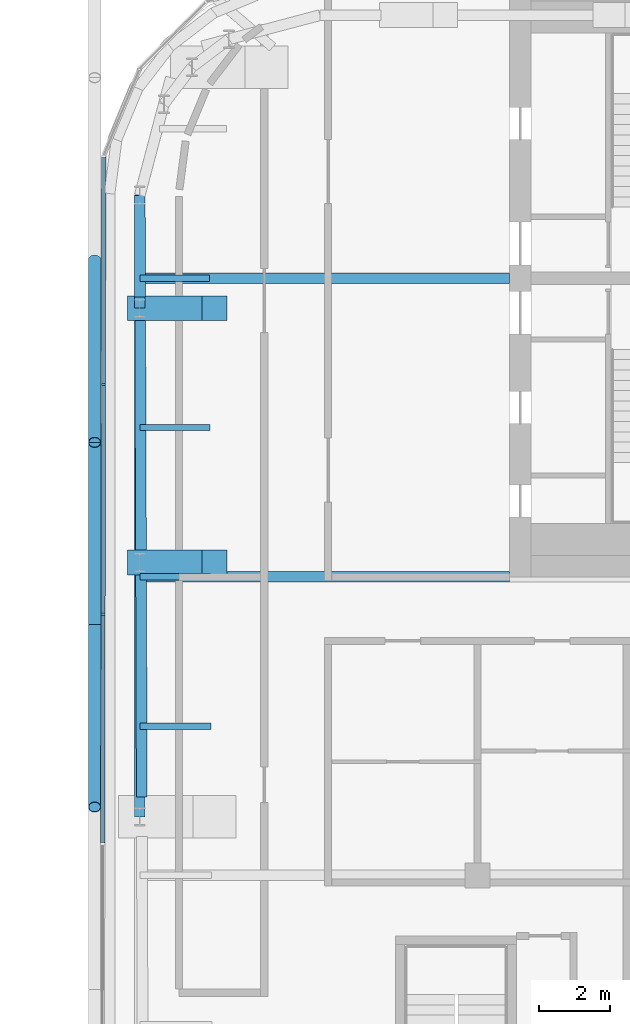
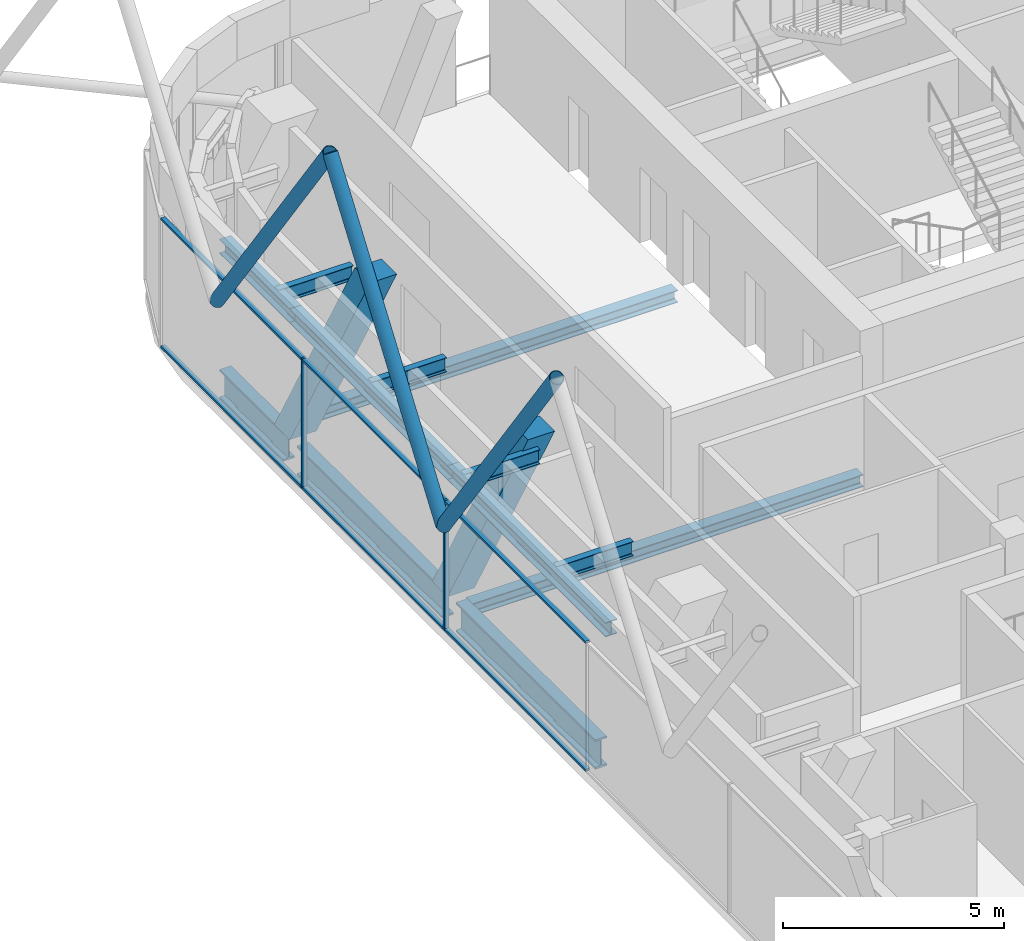
# One storey, part 8 of 25: 13 members, 12 beams, 1 element without a shape of its own.
"""IFC4 building model written with IfcOpenShell, lengths in metres."""

from ifc_helpers import new_model, si_unit, direction, frame, origin, origin_2d, place, context, subcontext, project, spatial, rectangle, hollow_circle, i_section, extrude, material, layer, layer_set, material_profile, profile_set, type_object, element, aggregate, save


model = new_model("IFC4")

# Units and contexts
model_context = context("Model", 3, precision=1e-05, world=origin(), true_north=direction((0.0, 1.0)))
body_context = subcontext(model_context, "Body", "Model", "MODEL_VIEW")
ifc_project = project(units=[si_unit("LENGTHUNIT", "METRE"), si_unit("AREAUNIT", "SQUARE_METRE"), si_unit("VOLUMEUNIT", "CUBIC_METRE"), si_unit("PLANEANGLEUNIT", "RADIAN"), si_unit("MASSUNIT", "GRAM", prefix="KILO")], contexts=[model_context])

# Site, building, storey
site_placement = place(None, origin())
site = spatial("IfcSite", under=ifc_project, at=site_placement, CompositionType="ELEMENT")
building_placement = place(site_placement, origin())
building = spatial("IfcBuilding", under=site, at=building_placement, Name="Marenta Gate Hotel Tower", CompositionType="ELEMENT")
storey_placement = place(building_placement, frame((0.0, 0.0, 277.699951171875)))
storey = spatial("IfcBuildingStorey", under=building, at=storey_placement, Name="L64", CompositionType="ELEMENT", Elevation=277.699951171875)

# Members
ifc_material_1 = material(Name="Steel S355J2W", Category="steel")
ifc_material_profile_1 = material_profile(ifc_material_1, hollow_circle(Radius=0.177734375, WallThickness=0.01611328125, at=origin_2d()), Name="CHS 355.6x16")
ifc_profile_set_1 = profile_set([ifc_material_profile_1], Name="Steel S355J2W")
member_type_1 = type_object("IfcMemberType", Name="Diagrid diagonal C CHS 355.6x16", PredefinedType="BRACE", material=ifc_profile_set_1)
member_1_placement = place(storey_placement, frame((-23.3701171875, -1.347412109375, 3.14013671875), z_axis=(0.0, -0.580213650922, 0.81446431431), x_axis=(1.0, 0.0, 0.0)))
element("IfcMember", 1, at=member_1_placement, inside=storey, type_object=member_type_1, Name="L64-DG-30", PredefinedType="BRACE", context=body_context, shape_type="SweptSolid", body=[
    extrude(hollow_circle(Radius=0.177734375, WallThickness=0.01611328125, at=origin_2d()), origin(), (0.0, 0.0, 1.0), 8.840087890625),
])
for number, where, z_axis, x_axis, name in (
    (2, (-23.3701171875, -1.347412109375, 3.14013671875), (0.0, 0.580231970533, 0.81445126335), (-1.0, 0.0, 0.0), "L64-DG-31"),
    (3, (-23.3701171875, 8.911376953125, 3.14013671875), (0.0, -0.580231970533, 0.81445126335), (1.0, 0.0, 0.0), "L64-DG-32"),
):
    element("IfcMember", number, at=place(storey_placement, frame(where, z_axis=z_axis, x_axis=x_axis)), inside=storey, type_object=member_type_1, Name=name, PredefinedType="BRACE", context=body_context, shape_type="SweptSolid", body=[
        extrude(hollow_circle(Radius=0.177734375, WallThickness=0.01611328125, at=origin_2d()), origin(), (0.0, 0.0, 1.0), 8.84033203125),
    ])

# Beams
ifc_material_2 = material(Name="Steel S355", Category="steel")
ifc_material_profile_2 = material_profile(ifc_material_2, i_section(OverallWidth=0.302978515625, OverallDepth=0.81396484375, WebThickness=0.030029296875, FlangeThickness=0.052001953125, FilletRadius=0.030029296875, at=origin_2d()), Name="HEM 800")
ifc_profile_set_2 = profile_set([ifc_material_profile_2], Name="Steel S355")
beam_type_1 = type_object("IfcBeamType", Name="Edge beam HEM 800", PredefinedType="SPANDREL", material=ifc_profile_set_2)
beam_1_placement = place(storey_placement, frame((-22.043701171875, -6.18994140625, -0.6669921875), z_axis=(-0.003302748539, 0.999994545911, 0.0), x_axis=(-0.999994545911, -0.003302748539, 0.0)))
element("IfcBeam", 4, at=beam_1_placement, inside=storey, type_object=beam_type_1, Name="L64-EB-8", PredefinedType="SPANDREL", context=body_context, shape_type="SweptSolid", body=[
    extrude(i_section(OverallWidth=0.302978515625, OverallDepth=0.81396484375, WebThickness=0.030029296875, FlangeThickness=0.052001953125, FilletRadius=0.030029296875, at=origin_2d()), origin(), (0.0, 0.0, 1.0), 6.283203125),
])
beam_2_placement = place(storey_placement, frame((-22.066650390625, 0.713134765625, -0.6669921875), z_axis=(-0.003325841098, 0.999994469375, 0.0), x_axis=(-0.999994469375, -0.003325841098, 0.0)))
element("IfcBeam", 5, at=beam_2_placement, inside=storey, type_object=beam_type_1, Name="L64-EB-9", PredefinedType="SPANDREL", context=body_context, shape_type="SweptSolid", body=[
    extrude(i_section(OverallWidth=0.302978515625, OverallDepth=0.81396484375, WebThickness=0.030029296875, FlangeThickness=0.052001953125, FilletRadius=0.030029296875, at=origin_2d()), origin(), (0.0, 0.0, 1.0), 6.533203125),
])
beam_3_placement = place(storey_placement, frame((-22.09033203125, 7.866455078125, -0.6669921875), z_axis=(-0.003405104972, 0.999994202613, 0.0), x_axis=(-0.999994202613, -0.003405104972, 0.0)))
element("IfcBeam", 6, at=beam_3_placement, inside=storey, type_object=beam_type_1, Name="L64-EB-10", PredefinedType="SPANDREL", context=body_context, shape_type="SweptSolid", body=[
    extrude(i_section(OverallWidth=0.302978515625, OverallDepth=0.81396484375, WebThickness=0.030029296875, FlangeThickness=0.052001953125, FilletRadius=0.030029296875, at=origin_2d()), origin(), (0.0, 0.0, 1.0), 2.867919921875),
])

# Members
ifc_material_3 = material(Name="Concrete C50", Category="concrete")
ifc_material_profile_3 = material_profile(ifc_material_3, rectangle(XDim=0.699951171875, YDim=0.699951171875, at=origin_2d()), Name="700 x 700")
ifc_profile_set_3 = profile_set([ifc_material_profile_3], Name="Concrete C50")
member_type_2 = type_object("IfcMemberType", Name="Edge column raked 700 x 700 C50", PredefinedType="STRUT", material=ifc_profile_set_3)
for number, where, z_axis, x_axis, name in (
    (7, (-22.10009765625, 0.4033203125, 0.0), (0.0, 0.0, 1.0), (1.0, 0.0, 0.0), "L64-EC-W-NW-1"),
    (8, (-22.10009765625, 7.556396484375, 0.0), (0.0, 0.0, 1.0), (1.0, 0.0, 0.0), "L64-EC-W-NW-2"),
):
    element("IfcMember", number, at=place(storey_placement, frame(where, z_axis=z_axis, x_axis=x_axis)), inside=storey, type_object=member_type_2, Name=name, PredefinedType="STRUT", context=body_context, shape_type="SweptSolid", body=[
        extrude(rectangle(XDim=0.699951171875, YDim=0.699951171875, at=origin_2d()), origin(), (0.503878309678, 0.0, 0.863774651768), 4.16796875),
    ])

# Beams
ifc_material_4 = material(Name="Steel S355", Category="steel")
ifc_material_profile_4 = material_profile(ifc_material_4, i_section(OverallWidth=0.300048828125, OverallDepth=0.340087890625, WebThickness=0.011962890625, FlangeThickness=0.021484375, FilletRadius=0.027099609375, at=origin_2d()), Name="HEB 340")
ifc_profile_set_4 = profile_set([ifc_material_profile_4], Name="Steel S355")
beam_type_2 = type_object("IfcBeamType", Name="Girder HEB 340", PredefinedType="BEAM", material=ifc_profile_set_4)
beam_4_placement = place(storey_placement, frame((-21.912841796875, 0.0, -0.429931640625), z_axis=(1.0, 0.0, 0.0), x_axis=(0.0, 1.0, 0.0)))
element("IfcBeam", 9, at=beam_4_placement, inside=storey, type_object=beam_type_2, Name="L64-GD-16", PredefinedType="BEAM", context=body_context, shape_type="SweptSolid", body=[
    extrude(i_section(OverallWidth=0.300048828125, OverallDepth=0.340087890625, WebThickness=0.011962890625, FlangeThickness=0.021484375, FilletRadius=0.027099609375, at=origin_2d()), origin(), (0.0, 0.0, 1.0), 10.212890625),
])
beam_5_placement = place(storey_placement, frame((-21.940673828125, 8.39990234375, -0.429931640625), z_axis=(1.0, 0.0, 0.0), x_axis=(0.0, 1.0, 0.0)))
element("IfcBeam", 10, at=beam_5_placement, inside=storey, type_object=beam_type_2, Name="L64-GD-19", PredefinedType="BEAM", context=body_context, shape_type="SweptSolid", body=[
    extrude(i_section(OverallWidth=0.300048828125, OverallDepth=0.340087890625, WebThickness=0.011962890625, FlangeThickness=0.021484375, FilletRadius=0.027099609375, at=origin_2d()), origin(), (0.0, 0.0, 1.0), 10.24072265625),
])

# Curtain wall, members
ifc_material_5 = material(Name="Tinted insulated glass in bronze anodised frame", Category="glass")
ifc_layer = layer(ifc_material_5, 0.1201171875)
ifc_layer_set = layer_set([ifc_layer], Name="Tinted insulated glass in bronze anodised frame")
curtain_wall_type = type_object("IfcCurtainWallType", Name="Tower unitised curtain wall CW1", PredefinedType="NOTDEFINED", material=ifc_layer_set)
curtain_wall_placement = place(storey_placement, origin())
curtain_wall = element("IfcCurtainWall", 11, at=curtain_wall_placement, inside=storey, type_object=curtain_wall_type, Name="CW1 run G04", PredefinedType="NOTDEFINED")
ifc_material_6 = material(Name="Bronze anodised aluminium", Category="aluminium")
ifc_material_profile_5 = material_profile(ifc_material_6, rectangle(XDim=0.1201171875, YDim=0.06005859375, at=origin_2d()), Name="Mullion CW1 60x120 bronze anodised aluminium")
ifc_profile_set_5 = profile_set([ifc_material_profile_5], Name="Bronze anodised aluminium")
member_type_3 = type_object("IfcMemberType", Name="Mullion CW1 60x120 bronze anodised aluminium", PredefinedType="MULLION", material=ifc_profile_set_5)
member_2_placement = place(storey_placement, frame((-23.122314453125, 5.40625, 0.0), z_axis=(0.0, 0.0, 1.0), x_axis=(0.99999877375, -0.001566045546, 0.0)))
member_2 = element("IfcMember", 12, at=member_2_placement, type_object=member_type_3, Name="CW1 mullion 2", PredefinedType="MULLION", context=body_context, shape_type="SweptSolid", body=[
    extrude(rectangle(XDim=0.1201171875, YDim=0.06005859375, at=origin_2d()), origin(), (0.0, 0.0, 1.0), 3.60009765625),
])
member_3_placement = place(storey_placement, frame((-23.132568359375, -1.0537109375, 0.0), z_axis=(0.0, 0.0, 1.0), x_axis=(0.99999877375, -0.001566045546, 0.0)))
member_3 = element("IfcMember", 13, at=member_3_placement, type_object=member_type_3, Name="CW1 mullion 3", PredefinedType="MULLION", context=body_context, shape_type="SweptSolid", body=[
    extrude(rectangle(XDim=0.1201171875, YDim=0.06005859375, at=origin_2d()), origin(), (0.0, 0.0, 1.0), 3.60009765625),
])

# Beams
ifc_material_7 = material(Name="Steel S355", Category="steel")
ifc_material_profile_6 = material_profile(ifc_material_7, i_section(OverallWidth=0.179931640625, OverallDepth=0.39990234375, WebThickness=0.008544921875, FlangeThickness=0.013427734375, FilletRadius=0.02099609375, at=origin_2d()), Name="IPE 400")
ifc_profile_set_6 = profile_set([ifc_material_profile_6], Name="Steel S355")
beam_type_3 = type_object("IfcBeamType", Name="Terrace beam IPE 400", PredefinedType="JOIST", material=ifc_profile_set_6)
beam_6_placement = place(storey_placement, frame((-22.10009765625, -4.199951171875, 3.14013671875), z_axis=(1.0, 0.0, 0.0), x_axis=(0.0, 1.0, 0.0)))
element("IfcBeam", 14, at=beam_6_placement, inside=storey, type_object=beam_type_3, Name="L64-TB-16", PredefinedType="JOIST", context=body_context, shape_type="SweptSolid", body=[
    extrude(i_section(OverallWidth=0.179931640625, OverallDepth=0.39990234375, WebThickness=0.008544921875, FlangeThickness=0.013427734375, FilletRadius=0.02099609375, at=origin_2d()), origin(), (0.0, 0.0, 1.0), 1.998779296875),
])
beam_7_placement = place(storey_placement, frame((-22.10009765625, 0.0, 3.14013671875), z_axis=(1.0, 0.0, 0.0), x_axis=(0.0, 1.0, 0.0)))
element("IfcBeam", 15, at=beam_7_placement, inside=storey, type_object=beam_type_3, Name="L64-TB-17", PredefinedType="JOIST", context=body_context, shape_type="SweptSolid", body=[
    extrude(i_section(OverallWidth=0.179931640625, OverallDepth=0.39990234375, WebThickness=0.008544921875, FlangeThickness=0.013427734375, FilletRadius=0.02099609375, at=origin_2d()), origin(), (0.0, 0.0, 1.0), 1.98486328125),
])
beam_8_placement = place(storey_placement, frame((-22.10009765625, 4.199951171875, 3.14013671875), z_axis=(1.0, 0.0, 0.0), x_axis=(0.0, 1.0, 0.0)))
element("IfcBeam", 16, at=beam_8_placement, inside=storey, type_object=beam_type_3, Name="L64-TB-18", PredefinedType="JOIST", context=body_context, shape_type="SweptSolid", body=[
    extrude(i_section(OverallWidth=0.179931640625, OverallDepth=0.39990234375, WebThickness=0.008544921875, FlangeThickness=0.013427734375, FilletRadius=0.02099609375, at=origin_2d()), origin(), (0.0, 0.0, 1.0), 1.970947265625),
])
beam_9_placement = place(storey_placement, frame((-22.10009765625, 8.39990234375, 3.14013671875), z_axis=(1.0, 0.0, 0.0), x_axis=(0.0, 1.0, 0.0)))
element("IfcBeam", 17, at=beam_9_placement, inside=storey, type_object=beam_type_3, Name="L64-TB-19", PredefinedType="JOIST", context=body_context, shape_type="SweptSolid", body=[
    extrude(i_section(OverallWidth=0.179931640625, OverallDepth=0.39990234375, WebThickness=0.008544921875, FlangeThickness=0.013427734375, FilletRadius=0.02099609375, at=origin_2d()), origin(), (0.0, 0.0, 1.0), 1.956787109375),
])
ifc_material_8 = material(Name="Steel S355", Category="steel")
ifc_material_profile_7 = material_profile(ifc_material_8, i_section(OverallWidth=0.300048828125, OverallDepth=0.39990234375, WebThickness=0.013427734375, FlangeThickness=0.02392578125, FilletRadius=0.027099609375, at=origin_2d()), Name="HEB 400")
ifc_profile_set_7 = profile_set([ifc_material_profile_7], Name="Steel S355")
beam_type_4 = type_object("IfcBeamType", Name="Terrace edge beam HEB 400", PredefinedType="SPANDREL", material=ifc_profile_set_7)
beam_10_placement = place(storey_placement, frame((-22.10009765625, -6.75, 3.14013671875), z_axis=(0.0, 1.0, 0.0), x_axis=(-1.0, 0.0, 0.0)))
element("IfcBeam", 18, at=beam_10_placement, inside=storey, type_object=beam_type_4, Name="L64-TE-8", PredefinedType="SPANDREL", context=body_context, shape_type="SweptSolid", body=[
    extrude(i_section(OverallWidth=0.300048828125, OverallDepth=0.39990234375, WebThickness=0.013427734375, FlangeThickness=0.02392578125, FilletRadius=0.027099609375, at=origin_2d()), origin(), (0.0, 0.0, 1.0), 7.1533203125),
])
beam_11_placement = place(storey_placement, frame((-22.10009765625, 0.4033203125, 3.14013671875), z_axis=(0.0, 1.0, 0.0), x_axis=(-1.0, 0.0, 0.0)))
element("IfcBeam", 19, at=beam_11_placement, inside=storey, type_object=beam_type_4, Name="L64-TE-9", PredefinedType="SPANDREL", context=body_context, shape_type="SweptSolid", body=[
    extrude(i_section(OverallWidth=0.300048828125, OverallDepth=0.39990234375, WebThickness=0.013427734375, FlangeThickness=0.02392578125, FilletRadius=0.027099609375, at=origin_2d()), origin(), (0.0, 0.0, 1.0), 7.153076171875),
])
beam_12_placement = place(storey_placement, frame((-22.10009765625, 7.556396484375, 3.14013671875), z_axis=(0.0, 1.0, 0.0), x_axis=(-1.0, 0.0, 0.0)))
element("IfcBeam", 20, at=beam_12_placement, inside=storey, type_object=beam_type_4, Name="L64-TE-10", PredefinedType="SPANDREL", context=body_context, shape_type="SweptSolid", body=[
    extrude(i_section(OverallWidth=0.300048828125, OverallDepth=0.39990234375, WebThickness=0.013427734375, FlangeThickness=0.02392578125, FilletRadius=0.027099609375, at=origin_2d()), origin(), (0.0, 0.0, 1.0), 3.177978515625),
])

# Member
ifc_material_9 = material(Name="Bronze anodised aluminium", Category="aluminium")
ifc_material_profile_8 = material_profile(ifc_material_9, rectangle(XDim=0.1201171875, YDim=0.06005859375, at=origin_2d()), Name="Transom CW1 60x120 bronze anodised aluminium")
ifc_profile_set_8 = profile_set([ifc_material_profile_8], Name="Bronze anodised aluminium")
member_type_4 = type_object("IfcMemberType", Name="Transom CW1 60x120 bronze anodised aluminium", PredefinedType="USERDEFINED", material=ifc_profile_set_8)
member_4_placement = place(storey_placement, frame((-23.1123046875, 11.80615234375, 0.030029296875), z_axis=(-0.001571421156, -0.999998765317, 0.0), x_axis=(0.999998765317, -0.001571421156, 0.0)))
member_4 = element("IfcMember", 21, at=member_4_placement, type_object=member_type_4, Name="CW1 transom 1.1", ObjectType="TRANSOM", PredefinedType="USERDEFINED", context=body_context, shape_type="SweptSolid", body=[
    extrude(rectangle(XDim=0.1201171875, YDim=0.06005859375, at=origin_2d()), origin(), (0.0, 0.0, 1.0), 6.369873046875),
])

member_5_placement = place(storey_placement, frame((-23.1123046875, 11.80615234375, 3.570068359375), z_axis=(-0.001571421156, -0.999998765317, 0.0), x_axis=(0.999998765317, -0.001571421156, 0.0)))
member_5 = element("IfcMember", 22, at=member_5_placement, type_object=member_type_4, Name="CW1 transom 1.2", ObjectType="TRANSOM", PredefinedType="USERDEFINED", context=body_context, shape_type="SweptSolid", body=[
    extrude(rectangle(XDim=0.1201171875, YDim=0.06005859375, at=origin_2d()), origin(), (0.0, 0.0, 1.0), 6.369873046875),
])

member_6_placement = place(storey_placement, frame((-23.12255859375, 5.376220703125, 0.030029296875), z_axis=(-0.001564047831, -0.999998776876, 0.0), x_axis=(0.999998776876, -0.001564047831, 0.0)))
member_6 = element("IfcMember", 23, at=member_6_placement, type_object=member_type_4, Name="CW1 transom 2.1", ObjectType="TRANSOM", PredefinedType="USERDEFINED", context=body_context, shape_type="SweptSolid", body=[
    extrude(rectangle(XDim=0.1201171875, YDim=0.06005859375, at=origin_2d()), origin(), (0.0, 0.0, 1.0), 6.39990234375),
])

member_7_placement = place(storey_placement, frame((-23.12255859375, 5.376220703125, 3.570068359375), z_axis=(-0.001564047831, -0.999998776876, 0.0), x_axis=(0.999998776876, -0.001564047831, 0.0)))
member_7 = element("IfcMember", 24, at=member_7_placement, type_object=member_type_4, Name="CW1 transom 2.2", ObjectType="TRANSOM", PredefinedType="USERDEFINED", context=body_context, shape_type="SweptSolid", body=[
    extrude(rectangle(XDim=0.1201171875, YDim=0.06005859375, at=origin_2d()), origin(), (0.0, 0.0, 1.0), 6.39990234375),
])

member_8_placement = place(storey_placement, frame((-23.132568359375, -1.083740234375, 0.030029296875), z_axis=(-0.001563988169, -0.99999877697, 0.0), x_axis=(0.99999877697, -0.001563988169, 0.0)))
member_8 = element("IfcMember", 25, at=member_8_placement, type_object=member_type_4, Name="CW1 transom 3.1", ObjectType="TRANSOM", PredefinedType="USERDEFINED", context=body_context, shape_type="SweptSolid", body=[
    extrude(rectangle(XDim=0.1201171875, YDim=0.06005859375, at=origin_2d()), origin(), (0.0, 0.0, 1.0), 6.400146484375),
])

member_9_placement = place(storey_placement, frame((-23.132568359375, -1.083740234375, 3.570068359375), z_axis=(-0.001563988169, -0.99999877697, 0.0), x_axis=(0.99999877697, -0.001563988169, 0.0)))
member_9 = element("IfcMember", 26, at=member_9_placement, type_object=member_type_4, Name="CW1 transom 3.2", ObjectType="TRANSOM", PredefinedType="USERDEFINED", context=body_context, shape_type="SweptSolid", body=[
    extrude(rectangle(XDim=0.1201171875, YDim=0.06005859375, at=origin_2d()), origin(), (0.0, 0.0, 1.0), 6.400146484375),
])

aggregate(curtain_wall, [member_2, member_3, member_4, member_5, member_6, member_7, member_8, member_9])

save(model, "model.ifc")
